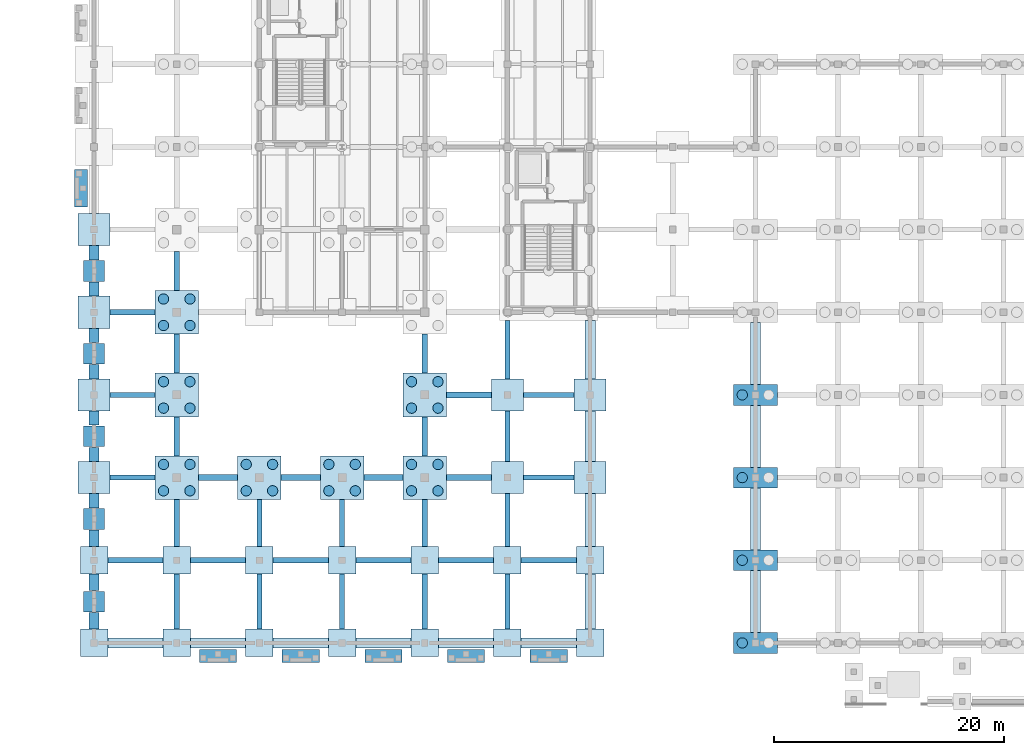
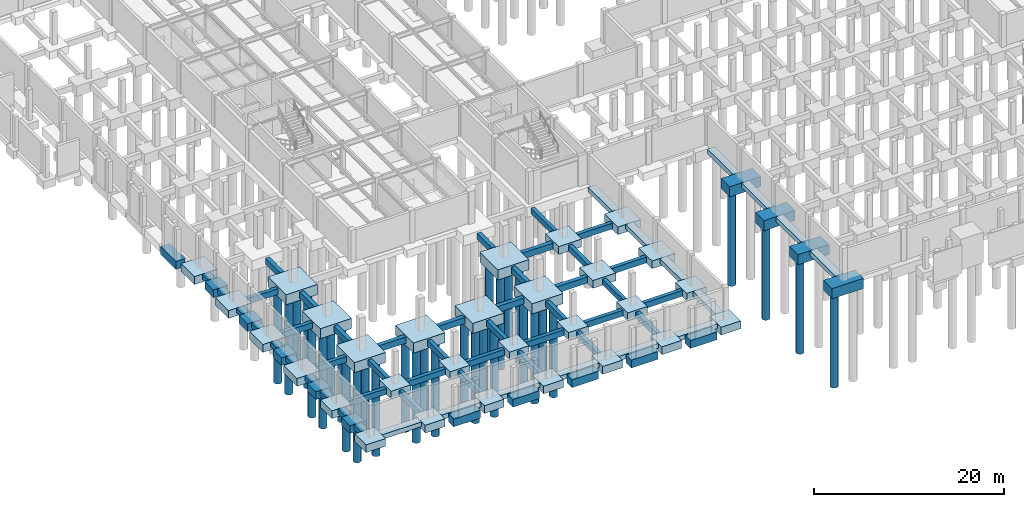
# One storey, part 1 of 46: 101 footings, 32 piles.
"""IFC4 building model written with IfcOpenShell, lengths in metres."""

from ifc_helpers import new_model, si_unit, direction, frame, origin, origin_2d, place, context, subcontext, project, spatial, rectangle, circle, extrude, material, material_profile, profile_set, type_object, element, save


model = new_model("IFC4")

# Units and contexts
model_context = context("Model", 3, precision=1e-05, world=origin(), true_north=direction((0.0, 1.0)))
body_context = subcontext(model_context, "Body", "Model", "MODEL_VIEW")
ifc_project = project(units=[si_unit("LENGTHUNIT", "METRE"), si_unit("AREAUNIT", "SQUARE_METRE"), si_unit("VOLUMEUNIT", "CUBIC_METRE"), si_unit("PLANEANGLEUNIT", "RADIAN"), si_unit("MASSUNIT", "GRAM", prefix="KILO")], contexts=[model_context])

# Site, building, storey
site_placement = place(None, origin())
site = spatial("IfcSite", under=ifc_project, at=site_placement, CompositionType="ELEMENT")
building_placement = place(site_placement, origin())
building = spatial("IfcBuilding", under=site, at=building_placement, Name="Sillqori Civic Hall", CompositionType="ELEMENT")
storey_placement = place(building_placement, frame((0.0, 0.0, -4.199951171875)))
storey = spatial("IfcBuildingStorey", under=building, at=storey_placement, Name="B01", CompositionType="ELEMENT", Elevation=-4.199951171875)

# Footings
ifc_material = material(Name="Concrete C35/45 (H35)", Category="concrete")
footing_type_1 = type_object("IfcFootingType", Name="FB-450X750", PredefinedType="FOOTING_BEAM", material=ifc_material)
footing_1_placement = place(storey_placement, frame((10.800048828125, 14.39990234375, -0.969970703125), z_axis=(0.0, 0.0, 1.0), x_axis=(1.0, 0.0, 0.0)))
element("IfcFooting", 1, at=footing_1_placement, inside=storey, type_object=footing_type_1, Name="Seismic tie beam X 1-2", PredefinedType="FOOTING_BEAM", context=body_context, shape_type="SweptSolid", body=[
    extrude(rectangle(XDim=4.800048828125, YDim=0.449951171875, at=origin_2d()), origin(), (0.0, 0.0, 1.0), 0.75),
])
for number, where, z_axis, x_axis, name in (
    (2, (10.550048828125, 21.60009765625, -0.969970703125), (0.0, 0.0, 1.0), (1.0, 0.0, 0.0), "Seismic tie beam X 1-3"),
    (3, (10.550048828125, 28.800048828125, -0.969970703125), (0.0, 0.0, 1.0), (1.0, 0.0, 0.0), "Seismic tie beam X 1-4"),
    (4, (10.550048828125, 36.0, -0.969970703125), (0.0, 0.0, 1.0), (1.0, 0.0, 0.0), "Seismic tie beam X 1-5"),
):
    element("IfcFooting", number, at=place(storey_placement, frame(where, z_axis=z_axis, x_axis=x_axis)), inside=storey, type_object=footing_type_1, Name=name, PredefinedType="FOOTING_BEAM", context=body_context, shape_type="SweptSolid", body=[
        extrude(rectangle(XDim=3.89990234375, YDim=0.449951171875, at=origin_2d()), origin(), (0.0, 0.0, 1.0), 0.75),
    ])
footing_2_placement = place(storey_placement, frame((14.39990234375, 10.800048828125, -0.969970703125), z_axis=(0.0, 0.0, 1.0), x_axis=(1.0, 0.0, 0.0)))
element("IfcFooting", 5, at=footing_2_placement, inside=storey, type_object=footing_type_1, Name="Seismic tie beam Y 2-1", PredefinedType="FOOTING_BEAM", context=body_context, shape_type="SweptSolid", body=[
    extrude(rectangle(XDim=0.449951171875, YDim=4.800048828125, at=origin_2d()), origin(), (0.0, 0.0, 1.0), 0.75),
])
footing_3_placement = place(storey_placement, frame((18.0, 14.39990234375, -0.969970703125), z_axis=(0.0, 0.0, 1.0), x_axis=(1.0, 0.0, 0.0)))
element("IfcFooting", 6, at=footing_3_placement, inside=storey, type_object=footing_type_1, Name="Seismic tie beam X 2-2", PredefinedType="FOOTING_BEAM", context=body_context, shape_type="SweptSolid", body=[
    extrude(rectangle(XDim=4.800048828125, YDim=0.449951171875, at=origin_2d()), origin(), (0.0, 0.0, 1.0), 0.75),
])
footing_4_placement = place(storey_placement, frame((14.39990234375, 17.64990234375, -0.969970703125), z_axis=(0.0, 0.0, 1.0), x_axis=(1.0, 0.0, 0.0)))
element("IfcFooting", 7, at=footing_4_placement, inside=storey, type_object=footing_type_1, Name="Seismic tie beam Y 2-2", PredefinedType="FOOTING_BEAM", context=body_context, shape_type="SweptSolid", body=[
    extrude(rectangle(XDim=0.449951171875, YDim=4.10009765625, at=origin_2d()), origin(), (0.0, 0.0, 1.0), 0.75),
])
footing_5_placement = place(storey_placement, frame((21.60009765625, 10.800048828125, -0.969970703125), z_axis=(0.0, 0.0, 1.0), x_axis=(1.0, 0.0, 0.0)))
element("IfcFooting", 8, at=footing_5_placement, inside=storey, type_object=footing_type_1, Name="Seismic tie beam Y 3-1", PredefinedType="FOOTING_BEAM", context=body_context, shape_type="SweptSolid", body=[
    extrude(rectangle(XDim=0.449951171875, YDim=4.800048828125, at=origin_2d()), origin(), (0.0, 0.0, 1.0), 0.75),
])
footing_6_placement = place(storey_placement, frame((25.199951171875, 14.39990234375, -0.969970703125), z_axis=(0.0, 0.0, 1.0), x_axis=(1.0, 0.0, 0.0)))
element("IfcFooting", 9, at=footing_6_placement, inside=storey, type_object=footing_type_1, Name="Seismic tie beam X 3-2", PredefinedType="FOOTING_BEAM", context=body_context, shape_type="SweptSolid", body=[
    extrude(rectangle(XDim=4.800048828125, YDim=0.449951171875, at=origin_2d()), origin(), (0.0, 0.0, 1.0), 0.75),
])
footing_7_placement = place(storey_placement, frame((21.60009765625, 17.64990234375, -0.969970703125), z_axis=(0.0, 0.0, 1.0), x_axis=(1.0, 0.0, 0.0)))
element("IfcFooting", 10, at=footing_7_placement, inside=storey, type_object=footing_type_1, Name="Seismic tie beam Y 3-2", PredefinedType="FOOTING_BEAM", context=body_context, shape_type="SweptSolid", body=[
    extrude(rectangle(XDim=0.449951171875, YDim=4.10009765625, at=origin_2d()), origin(), (0.0, 0.0, 1.0), 0.75),
])
footing_8_placement = place(storey_placement, frame((28.800048828125, 10.800048828125, -0.969970703125), z_axis=(0.0, 0.0, 1.0), x_axis=(1.0, 0.0, 0.0)))
element("IfcFooting", 11, at=footing_8_placement, inside=storey, type_object=footing_type_1, Name="Seismic tie beam Y 4-1", PredefinedType="FOOTING_BEAM", context=body_context, shape_type="SweptSolid", body=[
    extrude(rectangle(XDim=0.449951171875, YDim=4.800048828125, at=origin_2d()), origin(), (0.0, 0.0, 1.0), 0.75),
])
footing_9_placement = place(storey_placement, frame((32.39990234375, 14.39990234375, -0.969970703125), z_axis=(0.0, 0.0, 1.0), x_axis=(1.0, 0.0, 0.0)))
element("IfcFooting", 12, at=footing_9_placement, inside=storey, type_object=footing_type_1, Name="Seismic tie beam X 4-2", PredefinedType="FOOTING_BEAM", context=body_context, shape_type="SweptSolid", body=[
    extrude(rectangle(XDim=4.800048828125, YDim=0.449951171875, at=origin_2d()), origin(), (0.0, 0.0, 1.0), 0.75),
])
footing_10_placement = place(storey_placement, frame((28.800048828125, 17.64990234375, -0.969970703125), z_axis=(0.0, 0.0, 1.0), x_axis=(1.0, 0.0, 0.0)))
element("IfcFooting", 13, at=footing_10_placement, inside=storey, type_object=footing_type_1, Name="Seismic tie beam Y 4-2", PredefinedType="FOOTING_BEAM", context=body_context, shape_type="SweptSolid", body=[
    extrude(rectangle(XDim=0.449951171875, YDim=4.10009765625, at=origin_2d()), origin(), (0.0, 0.0, 1.0), 0.75),
])
footing_11_placement = place(storey_placement, frame((36.0, 10.800048828125, -0.969970703125), z_axis=(0.0, 0.0, 1.0), x_axis=(1.0, 0.0, 0.0)))
element("IfcFooting", 14, at=footing_11_placement, inside=storey, type_object=footing_type_1, Name="Seismic tie beam Y 5-1", PredefinedType="FOOTING_BEAM", context=body_context, shape_type="SweptSolid", body=[
    extrude(rectangle(XDim=0.449951171875, YDim=4.800048828125, at=origin_2d()), origin(), (0.0, 0.0, 1.0), 0.75),
])
footing_12_placement = place(storey_placement, frame((39.60009765625, 14.39990234375, -0.969970703125), z_axis=(0.0, 0.0, 1.0), x_axis=(1.0, 0.0, 0.0)))
element("IfcFooting", 15, at=footing_12_placement, inside=storey, type_object=footing_type_1, Name="Seismic tie beam X 5-2", PredefinedType="FOOTING_BEAM", context=body_context, shape_type="SweptSolid", body=[
    extrude(rectangle(XDim=4.800048828125, YDim=0.449951171875, at=origin_2d()), origin(), (0.0, 0.0, 1.0), 0.75),
])
footing_13_placement = place(storey_placement, frame((36.0, 17.64990234375, -0.969970703125), z_axis=(0.0, 0.0, 1.0), x_axis=(1.0, 0.0, 0.0)))
element("IfcFooting", 16, at=footing_13_placement, inside=storey, type_object=footing_type_1, Name="Seismic tie beam Y 5-2", PredefinedType="FOOTING_BEAM", context=body_context, shape_type="SweptSolid", body=[
    extrude(rectangle(XDim=0.449951171875, YDim=4.10009765625, at=origin_2d()), origin(), (0.0, 0.0, 1.0), 0.75),
])
footing_14_placement = place(storey_placement, frame((43.199951171875, 10.800048828125, -0.969970703125), z_axis=(0.0, 0.0, 1.0), x_axis=(1.0, 0.0, 0.0)))
element("IfcFooting", 17, at=footing_14_placement, inside=storey, type_object=footing_type_1, Name="Seismic tie beam Y 6-1", PredefinedType="FOOTING_BEAM", context=body_context, shape_type="SweptSolid", body=[
    extrude(rectangle(XDim=0.449951171875, YDim=4.800048828125, at=origin_2d()), origin(), (0.0, 0.0, 1.0), 0.75),
])
footing_15_placement = place(storey_placement, frame((46.800048828125, 14.39990234375, -0.969970703125), z_axis=(0.0, 0.0, 1.0), x_axis=(1.0, 0.0, 0.0)))
element("IfcFooting", 18, at=footing_15_placement, inside=storey, type_object=footing_type_1, Name="Seismic tie beam X 6-2", PredefinedType="FOOTING_BEAM", context=body_context, shape_type="SweptSolid", body=[
    extrude(rectangle(XDim=4.800048828125, YDim=0.449951171875, at=origin_2d()), origin(), (0.0, 0.0, 1.0), 0.75),
])
footing_16_placement = place(storey_placement, frame((43.199951171875, 17.89990234375, -0.969970703125), z_axis=(0.0, 0.0, 1.0), x_axis=(1.0, 0.0, 0.0)))
element("IfcFooting", 19, at=footing_16_placement, inside=storey, type_object=footing_type_1, Name="Seismic tie beam Y 6-2", PredefinedType="FOOTING_BEAM", context=body_context, shape_type="SweptSolid", body=[
    extrude(rectangle(XDim=0.449951171875, YDim=4.60009765625, at=origin_2d()), origin(), (0.0, 0.0, 1.0), 0.75),
])
footing_17_placement = place(storey_placement, frame((46.800048828125, 21.60009765625, -0.969970703125), z_axis=(0.0, 0.0, 1.0), x_axis=(1.0, 0.0, 0.0)))
element("IfcFooting", 20, at=footing_17_placement, inside=storey, type_object=footing_type_1, Name="Seismic tie beam X 6-3", PredefinedType="FOOTING_BEAM", context=body_context, shape_type="SweptSolid", body=[
    extrude(rectangle(XDim=4.39990234375, YDim=0.449951171875, at=origin_2d()), origin(), (0.0, 0.0, 1.0), 0.75),
])
footing_18_placement = place(storey_placement, frame((43.199951171875, 25.199951171875, -0.969970703125), z_axis=(0.0, 0.0, 1.0), x_axis=(1.0, 0.0, 0.0)))
element("IfcFooting", 21, at=footing_18_placement, inside=storey, type_object=footing_type_1, Name="Seismic tie beam Y 6-3", PredefinedType="FOOTING_BEAM", context=body_context, shape_type="SweptSolid", body=[
    extrude(rectangle(XDim=0.449951171875, YDim=4.39990234375, at=origin_2d()), origin(), (0.0, 0.0, 1.0), 0.75),
])
footing_19_placement = place(storey_placement, frame((46.800048828125, 28.800048828125, -0.969970703125), z_axis=(0.0, 0.0, 1.0), x_axis=(1.0, 0.0, 0.0)))
element("IfcFooting", 22, at=footing_19_placement, inside=storey, type_object=footing_type_1, Name="Seismic tie beam X 6-4", PredefinedType="FOOTING_BEAM", context=body_context, shape_type="SweptSolid", body=[
    extrude(rectangle(XDim=4.39990234375, YDim=0.449951171875, at=origin_2d()), origin(), (0.0, 0.0, 1.0), 0.75),
])
footing_20_placement = place(storey_placement, frame((43.199951171875, 32.75, -0.969970703125), z_axis=(0.0, 0.0, 1.0), x_axis=(1.0, 0.0, 0.0)))
element("IfcFooting", 23, at=footing_20_placement, inside=storey, type_object=footing_type_1, Name="Seismic tie beam Y 6-4", PredefinedType="FOOTING_BEAM", context=body_context, shape_type="SweptSolid", body=[
    extrude(rectangle(XDim=0.449951171875, YDim=5.10009765625, at=origin_2d()), origin(), (0.0, 0.0, 1.0), 0.75),
])
footing_type_2 = type_object("IfcFootingType", Name="FB-500X800", PredefinedType="FOOTING_BEAM", material=ifc_material)
footing_21_placement = place(storey_placement, frame((18.0, 21.60009765625, -1.02001953125), z_axis=(0.0, 0.0, 1.0), x_axis=(1.0, 0.0, 0.0)))
element("IfcFooting", 24, at=footing_21_placement, inside=storey, type_object=footing_type_2, Name="Seismic tie beam X 2-3", PredefinedType="FOOTING_BEAM", context=body_context, shape_type="SweptSolid", body=[
    extrude(rectangle(XDim=3.39990234375, YDim=0.5, at=origin_2d()), origin(), (0.0, 0.0, 1.0), 0.800048828125),
])
for number, where, z_axis, x_axis, name in (
    (25, (14.39990234375, 25.199951171875, -1.02001953125), (0.0, 0.0, 1.0), (1.0, 0.0, 0.0), "Seismic tie beam Y 2-3"),
    (26, (14.39990234375, 32.39990234375, -1.02001953125), (0.0, 0.0, 1.0), (1.0, 0.0, 0.0), "Seismic tie beam Y 2-4"),
    (27, (14.39990234375, 39.60009765625, -1.02001953125), (0.0, 0.0, 1.0), (1.0, 0.0, 0.0), "Seismic tie beam Y 2-5"),
):
    element("IfcFooting", number, at=place(storey_placement, frame(where, z_axis=z_axis, x_axis=x_axis)), inside=storey, type_object=footing_type_2, Name=name, PredefinedType="FOOTING_BEAM", context=body_context, shape_type="SweptSolid", body=[
        extrude(rectangle(XDim=0.5, YDim=3.39990234375, at=origin_2d()), origin(), (0.0, 0.0, 1.0), 0.800048828125),
    ])
for number, where, z_axis, x_axis, name in (
    (28, (25.199951171875, 21.60009765625, -1.02001953125), (0.0, 0.0, 1.0), (1.0, 0.0, 0.0), "Seismic tie beam X 3-3"),
    (29, (32.39990234375, 21.60009765625, -1.02001953125), (0.0, 0.0, 1.0), (1.0, 0.0, 0.0), "Seismic tie beam X 4-3"),
):
    element("IfcFooting", number, at=place(storey_placement, frame(where, z_axis=z_axis, x_axis=x_axis)), inside=storey, type_object=footing_type_2, Name=name, PredefinedType="FOOTING_BEAM", context=body_context, shape_type="SweptSolid", body=[
        extrude(rectangle(XDim=3.39990234375, YDim=0.5, at=origin_2d()), origin(), (0.0, 0.0, 1.0), 0.800048828125),
    ])
footing_22_placement = place(storey_placement, frame((39.85009765625, 21.60009765625, -1.02001953125), z_axis=(0.0, 0.0, 1.0), x_axis=(1.0, 0.0, 0.0)))
element("IfcFooting", 30, at=footing_22_placement, inside=storey, type_object=footing_type_2, Name="Seismic tie beam X 5-3", PredefinedType="FOOTING_BEAM", context=body_context, shape_type="SweptSolid", body=[
    extrude(rectangle(XDim=3.89990234375, YDim=0.5, at=origin_2d()), origin(), (0.0, 0.0, 1.0), 0.800048828125),
])
footing_23_placement = place(storey_placement, frame((36.0, 25.199951171875, -1.02001953125), z_axis=(0.0, 0.0, 1.0), x_axis=(1.0, 0.0, 0.0)))
element("IfcFooting", 31, at=footing_23_placement, inside=storey, type_object=footing_type_2, Name="Seismic tie beam Y 5-3", PredefinedType="FOOTING_BEAM", context=body_context, shape_type="SweptSolid", body=[
    extrude(rectangle(XDim=0.5, YDim=3.39990234375, at=origin_2d()), origin(), (0.0, 0.0, 1.0), 0.800048828125),
])
footing_24_placement = place(storey_placement, frame((39.85009765625, 28.800048828125, -1.02001953125), z_axis=(0.0, 0.0, 1.0), x_axis=(1.0, 0.0, 0.0)))
element("IfcFooting", 32, at=footing_24_placement, inside=storey, type_object=footing_type_2, Name="Seismic tie beam X 5-4", PredefinedType="FOOTING_BEAM", context=body_context, shape_type="SweptSolid", body=[
    extrude(rectangle(XDim=3.89990234375, YDim=0.5, at=origin_2d()), origin(), (0.0, 0.0, 1.0), 0.800048828125),
])
footing_25_placement = place(storey_placement, frame((36.0, 32.39990234375, -1.02001953125), z_axis=(0.0, 0.0, 1.0), x_axis=(1.0, 0.0, 0.0)))
element("IfcFooting", 33, at=footing_25_placement, inside=storey, type_object=footing_type_2, Name="Seismic tie beam Y 5-4", PredefinedType="FOOTING_BEAM", context=body_context, shape_type="SweptSolid", body=[
    extrude(rectangle(XDim=0.5, YDim=3.39990234375, at=origin_2d()), origin(), (0.0, 0.0, 1.0), 0.800048828125),
])
footing_type_3 = type_object("IfcFootingType", Name="PC-2P", PredefinedType="PILE_CAP", material=ifc_material)
for number, where, z_axis, x_axis, name in (
    (34, (64.800048828125, 7.199951171875, -1.30029296875), (0.0, 0.0, 1.0), (1.0, 0.0, 0.0), "Pile cap 9-1"),
    (35, (64.800048828125, 14.39990234375, -1.30029296875), (0.0, 0.0, 1.0), (1.0, 0.0, 0.0), "Pile cap 9-2"),
    (36, (64.800048828125, 21.60009765625, -1.30029296875), (0.0, 0.0, 1.0), (1.0, 0.0, 0.0), "Pile cap 9-3"),
    (37, (64.800048828125, 28.800048828125, -1.30029296875), (0.0, 0.0, 1.0), (1.0, 0.0, 0.0), "Pile cap 9-4"),
):
    element("IfcFooting", number, at=place(storey_placement, frame(where, z_axis=z_axis, x_axis=x_axis)), inside=storey, type_object=footing_type_3, Name=name, PredefinedType="PILE_CAP", context=body_context, shape_type="SweptSolid", body=[
        extrude(rectangle(XDim=3.800048828125, YDim=1.800048828125, at=origin_2d()), origin(), (0.0, 0.0, 1.0), 1.300048828125),
    ])
footing_type_4 = type_object("IfcFootingType", Name="PC-4P", PredefinedType="PILE_CAP", material=ifc_material)
for number, where, z_axis, x_axis, name in (
    (38, (14.39990234375, 21.60009765625, -1.30029296875), (0.0, 0.0, 1.0), (1.0, 0.0, 0.0), "Pile cap 2-3"),
    (39, (14.39990234375, 28.800048828125, -1.30029296875), (0.0, 0.0, 1.0), (1.0, 0.0, 0.0), "Pile cap 2-4"),
    (40, (14.39990234375, 36.0, -1.30029296875), (0.0, 0.0, 1.0), (1.0, 0.0, 0.0), "Pile cap 2-5"),
    (41, (21.60009765625, 21.60009765625, -1.30029296875), (0.0, 0.0, 1.0), (1.0, 0.0, 0.0), "Pile cap 3-3"),
    (42, (28.800048828125, 21.60009765625, -1.30029296875), (0.0, 0.0, 1.0), (1.0, 0.0, 0.0), "Pile cap 4-3"),
    (43, (36.0, 21.60009765625, -1.30029296875), (0.0, 0.0, 1.0), (1.0, 0.0, 0.0), "Pile cap 5-3"),
    (44, (36.0, 28.800048828125, -1.30029296875), (0.0, 0.0, 1.0), (1.0, 0.0, 0.0), "Pile cap 5-4"),
):
    element("IfcFooting", number, at=place(storey_placement, frame(where, z_axis=z_axis, x_axis=x_axis)), inside=storey, type_object=footing_type_4, Name=name, PredefinedType="PILE_CAP", context=body_context, shape_type="SweptSolid", body=[
        extrude(rectangle(XDim=3.800048828125, YDim=3.800048828125, at=origin_2d()), origin(), (0.0, 0.0, 1.0), 1.300048828125),
    ])
footing_type_5 = type_object("IfcFootingType", Name="PF-1800", PredefinedType="PAD_FOOTING", material=ifc_material)
for number, where, z_axis, x_axis, name in (
    (45, (7.199951171875, 10.800048828125, -1.0), (0.0, 0.0, 1.0), (1.0, 0.0, 0.0), "Pilaster pad footing 01"),
    (46, (7.199951171875, 18.0, -1.0), (0.0, 0.0, 1.0), (1.0, 0.0, 0.0), "Pilaster pad footing 02"),
    (47, (7.199951171875, 25.199951171875, -1.0), (0.0, 0.0, 1.0), (1.0, 0.0, 0.0), "Pilaster pad footing 03"),
    (48, (7.199951171875, 32.39990234375, -1.0), (0.0, 0.0, 1.0), (1.0, 0.0, 0.0), "Pilaster pad footing 04"),
    (49, (7.199951171875, 39.60009765625, -1.0), (0.0, 0.0, 1.0), (1.0, 0.0, 0.0), "Pilaster pad footing 05"),
):
    element("IfcFooting", number, at=place(storey_placement, frame(where, z_axis=z_axis, x_axis=x_axis)), inside=storey, type_object=footing_type_5, Name=name, PredefinedType="PAD_FOOTING", context=body_context, shape_type="SweptSolid", body=[
        extrude(rectangle(XDim=1.800048828125, YDim=1.800048828125, at=origin_2d()), origin(), (0.0, 0.0, 1.0), 1.0),
    ])
footing_type_6 = type_object("IfcFootingType", Name="PF-2400", PredefinedType="PAD_FOOTING", material=ifc_material)
for number, where, z_axis, x_axis, name in (
    (50, (7.199951171875, 7.199951171875, -1.0), (0.0, 0.0, 1.0), (1.0, 0.0, 0.0), "Spread footing 1-1"),
    (51, (7.199951171875, 14.39990234375, -1.0), (0.0, 0.0, 1.0), (1.0, 0.0, 0.0), "Spread footing 1-2"),
    (52, (14.39990234375, 7.199951171875, -1.0), (0.0, 0.0, 1.0), (1.0, 0.0, 0.0), "Spread footing 2-1"),
    (53, (14.39990234375, 14.39990234375, -1.0), (0.0, 0.0, 1.0), (1.0, 0.0, 0.0), "Spread footing 2-2"),
    (54, (21.60009765625, 7.199951171875, -1.0), (0.0, 0.0, 1.0), (1.0, 0.0, 0.0), "Spread footing 3-1"),
    (55, (21.60009765625, 14.39990234375, -1.0), (0.0, 0.0, 1.0), (1.0, 0.0, 0.0), "Spread footing 3-2"),
    (56, (28.800048828125, 7.199951171875, -1.0), (0.0, 0.0, 1.0), (1.0, 0.0, 0.0), "Spread footing 4-1"),
    (57, (28.800048828125, 14.39990234375, -1.0), (0.0, 0.0, 1.0), (1.0, 0.0, 0.0), "Spread footing 4-2"),
    (58, (36.0, 7.199951171875, -1.0), (0.0, 0.0, 1.0), (1.0, 0.0, 0.0), "Spread footing 5-1"),
    (59, (36.0, 14.39990234375, -1.0), (0.0, 0.0, 1.0), (1.0, 0.0, 0.0), "Spread footing 5-2"),
    (60, (43.199951171875, 7.199951171875, -1.0), (0.0, 0.0, 1.0), (1.0, 0.0, 0.0), "Spread footing 6-1"),
    (61, (43.199951171875, 14.39990234375, -1.0), (0.0, 0.0, 1.0), (1.0, 0.0, 0.0), "Spread footing 6-2"),
    (62, (50.39990234375, 7.199951171875, -1.0), (0.0, 0.0, 1.0), (1.0, 0.0, 0.0), "Spread footing 7-1"),
    (63, (50.39990234375, 14.39990234375, -1.0), (0.0, 0.0, 1.0), (1.0, 0.0, 0.0), "Spread footing 7-2"),
):
    element("IfcFooting", number, at=place(storey_placement, frame(where, z_axis=z_axis, x_axis=x_axis)), inside=storey, type_object=footing_type_6, Name=name, PredefinedType="PAD_FOOTING", context=body_context, shape_type="SweptSolid", body=[
        extrude(rectangle(XDim=2.39990234375, YDim=2.39990234375, at=origin_2d()), origin(), (0.0, 0.0, 1.0), 1.0),
    ])
footing_type_7 = type_object("IfcFootingType", Name="PF-2800", PredefinedType="PAD_FOOTING", material=ifc_material)
for number, where, z_axis, x_axis, name in (
    (64, (7.199951171875, 21.60009765625, -1.0), (0.0, 0.0, 1.0), (1.0, 0.0, 0.0), "Spread footing 1-3"),
    (65, (7.199951171875, 28.800048828125, -1.0), (0.0, 0.0, 1.0), (1.0, 0.0, 0.0), "Spread footing 1-4"),
    (66, (7.199951171875, 36.0, -1.0), (0.0, 0.0, 1.0), (1.0, 0.0, 0.0), "Spread footing 1-5"),
    (67, (7.199951171875, 43.199951171875, -1.0), (0.0, 0.0, 1.0), (1.0, 0.0, 0.0), "Spread footing 1-6"),
    (68, (43.199951171875, 21.60009765625, -1.0), (0.0, 0.0, 1.0), (1.0, 0.0, 0.0), "Spread footing 6-3"),
    (69, (43.199951171875, 28.800048828125, -1.0), (0.0, 0.0, 1.0), (1.0, 0.0, 0.0), "Spread footing 6-4"),
    (70, (50.39990234375, 21.60009765625, -1.0), (0.0, 0.0, 1.0), (1.0, 0.0, 0.0), "Spread footing 7-3"),
    (71, (50.39990234375, 28.800048828125, -1.0), (0.0, 0.0, 1.0), (1.0, 0.0, 0.0), "Spread footing 7-4"),
):
    element("IfcFooting", number, at=place(storey_placement, frame(where, z_axis=z_axis, x_axis=x_axis)), inside=storey, type_object=footing_type_7, Name=name, PredefinedType="PAD_FOOTING", context=body_context, shape_type="SweptSolid", body=[
        extrude(rectangle(XDim=2.800048828125, YDim=2.800048828125, at=origin_2d()), origin(), (0.0, 0.0, 1.0), 1.0),
    ])

# Piles
ifc_material_profile = material_profile(ifc_material, circle(Radius=0.449951171875, at=origin_2d()), Name="BORED PILE 900")
ifc_profile_set = profile_set([ifc_material_profile], Name="Concrete C35/45 (H35)")
pile_type = type_object("IfcPileType", Name="PILE-BORED-900", PredefinedType="BORED", material=ifc_profile_set)
for number, where, z_axis, x_axis, name in (
    (72, (13.25, 20.449951171875, -1.199951171875), (0.0, 0.0, -1.0), (1.0, 0.0, 0.0), "Bored pile FTG-PC-02-03-01"),
    (73, (13.25, 22.75, -1.199951171875), (0.0, 0.0, -1.0), (1.0, 0.0, 0.0), "Bored pile FTG-PC-02-03-02"),
    (74, (15.550048828125, 20.449951171875, -1.199951171875), (0.0, 0.0, -1.0), (1.0, 0.0, 0.0), "Bored pile FTG-PC-02-03-03"),
    (75, (15.550048828125, 22.75, -1.199951171875), (0.0, 0.0, -1.0), (1.0, 0.0, 0.0), "Bored pile FTG-PC-02-03-04"),
    (76, (13.25, 27.64990234375, -1.199951171875), (0.0, 0.0, -1.0), (1.0, 0.0, 0.0), "Bored pile FTG-PC-02-04-01"),
    (77, (13.25, 29.949951171875, -1.199951171875), (0.0, 0.0, -1.0), (1.0, 0.0, 0.0), "Bored pile FTG-PC-02-04-02"),
    (78, (15.550048828125, 27.64990234375, -1.199951171875), (0.0, 0.0, -1.0), (1.0, 0.0, 0.0), "Bored pile FTG-PC-02-04-03"),
    (79, (15.550048828125, 29.949951171875, -1.199951171875), (0.0, 0.0, -1.0), (1.0, 0.0, 0.0), "Bored pile FTG-PC-02-04-04"),
    (80, (13.25, 34.85009765625, -1.199951171875), (0.0, 0.0, -1.0), (1.0, 0.0, 0.0), "Bored pile FTG-PC-02-05-01"),
    (81, (13.25, 37.14990234375, -1.199951171875), (0.0, 0.0, -1.0), (1.0, 0.0, 0.0), "Bored pile FTG-PC-02-05-02"),
    (82, (15.550048828125, 34.85009765625, -1.199951171875), (0.0, 0.0, -1.0), (1.0, 0.0, 0.0), "Bored pile FTG-PC-02-05-03"),
    (83, (15.550048828125, 37.14990234375, -1.199951171875), (0.0, 0.0, -1.0), (1.0, 0.0, 0.0), "Bored pile FTG-PC-02-05-04"),
    (84, (20.449951171875, 20.449951171875, -1.199951171875), (0.0, 0.0, -1.0), (1.0, 0.0, 0.0), "Bored pile FTG-PC-03-03-01"),
    (85, (20.449951171875, 22.75, -1.199951171875), (0.0, 0.0, -1.0), (1.0, 0.0, 0.0), "Bored pile FTG-PC-03-03-02"),
    (86, (22.75, 20.449951171875, -1.199951171875), (0.0, 0.0, -1.0), (1.0, 0.0, 0.0), "Bored pile FTG-PC-03-03-03"),
    (87, (22.75, 22.75, -1.199951171875), (0.0, 0.0, -1.0), (1.0, 0.0, 0.0), "Bored pile FTG-PC-03-03-04"),
    (88, (27.64990234375, 20.449951171875, -1.199951171875), (0.0, 0.0, -1.0), (1.0, 0.0, 0.0), "Bored pile FTG-PC-04-03-01"),
    (89, (27.64990234375, 22.75, -1.199951171875), (0.0, 0.0, -1.0), (1.0, 0.0, 0.0), "Bored pile FTG-PC-04-03-02"),
    (90, (29.949951171875, 20.449951171875, -1.199951171875), (0.0, 0.0, -1.0), (1.0, 0.0, 0.0), "Bored pile FTG-PC-04-03-03"),
    (91, (29.949951171875, 22.75, -1.199951171875), (0.0, 0.0, -1.0), (1.0, 0.0, 0.0), "Bored pile FTG-PC-04-03-04"),
    (92, (34.85009765625, 20.449951171875, -1.199951171875), (0.0, 0.0, -1.0), (1.0, 0.0, 0.0), "Bored pile FTG-PC-05-03-01"),
    (93, (34.85009765625, 22.75, -1.199951171875), (0.0, 0.0, -1.0), (1.0, 0.0, 0.0), "Bored pile FTG-PC-05-03-02"),
    (94, (37.14990234375, 20.449951171875, -1.199951171875), (0.0, 0.0, -1.0), (1.0, 0.0, 0.0), "Bored pile FTG-PC-05-03-03"),
    (95, (37.14990234375, 22.75, -1.199951171875), (0.0, 0.0, -1.0), (1.0, 0.0, 0.0), "Bored pile FTG-PC-05-03-04"),
    (96, (34.85009765625, 27.64990234375, -1.199951171875), (0.0, 0.0, -1.0), (1.0, 0.0, 0.0), "Bored pile FTG-PC-05-04-01"),
    (97, (34.85009765625, 29.949951171875, -1.199951171875), (0.0, 0.0, -1.0), (1.0, 0.0, 0.0), "Bored pile FTG-PC-05-04-02"),
    (98, (37.14990234375, 27.64990234375, -1.199951171875), (0.0, 0.0, -1.0), (1.0, 0.0, 0.0), "Bored pile FTG-PC-05-04-03"),
    (99, (37.14990234375, 29.949951171875, -1.199951171875), (0.0, 0.0, -1.0), (1.0, 0.0, 0.0), "Bored pile FTG-PC-05-04-04"),
    (100, (63.64990234375, 7.199951171875, -1.199951171875), (0.0, 0.0, -1.0), (1.0, 0.0, 0.0), "Bored pile FTG-PC-09-01-01"),
    (101, (63.64990234375, 14.39990234375, -1.199951171875), (0.0, 0.0, -1.0), (1.0, 0.0, 0.0), "Bored pile FTG-PC-09-02-01"),
    (102, (63.64990234375, 21.60009765625, -1.199951171875), (0.0, 0.0, -1.0), (1.0, 0.0, 0.0), "Bored pile FTG-PC-09-03-01"),
    (103, (63.64990234375, 28.800048828125, -1.199951171875), (0.0, 0.0, -1.0), (1.0, 0.0, 0.0), "Bored pile FTG-PC-09-04-01"),
):
    element("IfcPile", number, at=place(storey_placement, frame(where, z_axis=z_axis, x_axis=x_axis)), inside=storey, type_object=pile_type, Name=name, PredefinedType="BORED", context=body_context, shape_type="SweptSolid", body=[
        extrude(circle(Radius=0.449951171875, at=origin_2d()), origin(), (0.0, 0.0, 1.0), 12.10009765625),
    ])

# Footings
footing_type_8 = type_object("IfcFootingType", Name="SF-1100X650", PredefinedType="STRIP_FOOTING", material=ifc_material)
footing_26_placement = place(storey_placement, frame((6.050048828125, 46.800048828125, -1.0), z_axis=(0.0, 0.0, 1.0), x_axis=(1.0, 0.0, 0.0)))
element("IfcFooting", 104, at=footing_26_placement, inside=storey, type_object=footing_type_8, Name="Council West Avenue Exit stoop mat footing", PredefinedType="STRIP_FOOTING", context=body_context, shape_type="SweptSolid", body=[
    extrude(rectangle(XDim=1.1201171875, YDim=3.239990234375, at=origin_2d()), origin(), (0.0, 0.0, 1.0), 1.0),
])
for number, where, z_axis, x_axis, name in (
    (105, (18.0, 6.050048828125, -1.0), (0.0, 0.0, 1.0), (1.0, 0.0, 0.0), "Council Chamber West Street Portal stoop mat footing"),
    (106, (25.199951171875, 6.050048828125, -1.0), (0.0, 0.0, 1.0), (1.0, 0.0, 0.0), "Council Chamber Ceremonial Entrance stoop mat footing"),
    (107, (32.39990234375, 6.050048828125, -1.0), (0.0, 0.0, 1.0), (1.0, 0.0, 0.0), "Council Chamber East Street Portal stoop mat footing"),
    (108, (39.60009765625, 6.050048828125, -1.0), (0.0, 0.0, 1.0), (1.0, 0.0, 0.0), "Council Foyer South Exit stoop mat footing"),
    (109, (46.800048828125, 6.050048828125, -1.0), (0.0, 0.0, 1.0), (1.0, 0.0, 0.0), "Council Foyer Promenade Portal stoop mat footing"),
):
    element("IfcFooting", number, at=place(storey_placement, frame(where, z_axis=z_axis, x_axis=x_axis)), inside=storey, type_object=footing_type_8, Name=name, PredefinedType="STRIP_FOOTING", context=body_context, shape_type="SweptSolid", body=[
        extrude(rectangle(XDim=3.239990234375, YDim=1.1201171875, at=origin_2d()), origin(), (0.0, 0.0, 1.0), 1.0),
    ])
footing_type_9 = type_object("IfcFootingType", Name="SF-900X600", PredefinedType="STRIP_FOOTING", material=ifc_material)
footing_27_placement = place(storey_placement, frame((10.800048828125, 7.199951171875, -0.60009765625), z_axis=(0.0, 0.0, 1.0), x_axis=(1.0, 0.0, 0.0)))
element("IfcFooting", 110, at=footing_27_placement, inside=storey, type_object=footing_type_9, Name="Podium plinth strip footing S 1-1", PredefinedType="STRIP_FOOTING", context=body_context, shape_type="SweptSolid", body=[
    extrude(rectangle(XDim=4.800048828125, YDim=0.89990234375, at=origin_2d()), origin(), (0.0, 0.0, 1.0), 0.60009765625),
])
for number, where, z_axis, x_axis, name in (
    (111, (7.199951171875, 9.1201171875, -0.60009765625), (0.0, 0.0, 1.0), (1.0, 0.0, 0.0), "Podium plinth strip footing W 1-1.1"),
    (112, (7.199951171875, 12.47998046875, -0.60009765625), (0.0, 0.0, 1.0), (1.0, 0.0, 0.0), "Podium plinth strip footing W 1-1.2"),
    (113, (7.199951171875, 16.320068359375, -0.60009765625), (0.0, 0.0, 1.0), (1.0, 0.0, 0.0), "Podium plinth strip footing W 1-2.1"),
):
    element("IfcFooting", number, at=place(storey_placement, frame(where, z_axis=z_axis, x_axis=x_axis)), inside=storey, type_object=footing_type_9, Name=name, PredefinedType="STRIP_FOOTING", context=body_context, shape_type="SweptSolid", body=[
        extrude(rectangle(XDim=0.89990234375, YDim=1.43994140625, at=origin_2d()), origin(), (0.0, 0.0, 1.0), 0.60009765625),
    ])
for number, where, z_axis, x_axis, name in (
    (114, (7.199951171875, 19.580078125, -0.60009765625), (0.0, 0.0, 1.0), (1.0, 0.0, 0.0), "Podium plinth strip footing W 1-2.2"),
    (115, (7.199951171875, 23.6201171875, -0.60009765625), (0.0, 0.0, 1.0), (1.0, 0.0, 0.0), "Podium plinth strip footing W 1-3.1"),
    (116, (7.199951171875, 26.780029296875, -0.60009765625), (0.0, 0.0, 1.0), (1.0, 0.0, 0.0), "Podium plinth strip footing W 1-3.2"),
    (117, (7.199951171875, 30.820068359375, -0.60009765625), (0.0, 0.0, 1.0), (1.0, 0.0, 0.0), "Podium plinth strip footing W 1-4.1"),
    (118, (7.199951171875, 33.97998046875, -0.60009765625), (0.0, 0.0, 1.0), (1.0, 0.0, 0.0), "Podium plinth strip footing W 1-4.2"),
    (119, (7.199951171875, 38.02001953125, -0.60009765625), (0.0, 0.0, 1.0), (1.0, 0.0, 0.0), "Podium plinth strip footing W 1-5.1"),
    (120, (7.199951171875, 41.179931640625, -0.60009765625), (0.0, 0.0, 1.0), (1.0, 0.0, 0.0), "Podium plinth strip footing W 1-5.2"),
):
    element("IfcFooting", number, at=place(storey_placement, frame(where, z_axis=z_axis, x_axis=x_axis)), inside=storey, type_object=footing_type_9, Name=name, PredefinedType="STRIP_FOOTING", context=body_context, shape_type="SweptSolid", body=[
        extrude(rectangle(XDim=0.89990234375, YDim=1.239990234375, at=origin_2d()), origin(), (0.0, 0.0, 1.0), 0.60009765625),
    ])
for number, where, z_axis, x_axis, name in (
    (121, (18.0, 7.199951171875, -0.60009765625), (0.0, 0.0, 1.0), (1.0, 0.0, 0.0), "Podium plinth strip footing S 2-1"),
    (122, (25.199951171875, 7.199951171875, -0.60009765625), (0.0, 0.0, 1.0), (1.0, 0.0, 0.0), "Podium plinth strip footing S 3-1"),
    (123, (32.39990234375, 7.199951171875, -0.60009765625), (0.0, 0.0, 1.0), (1.0, 0.0, 0.0), "Podium plinth strip footing S 4-1"),
    (124, (39.60009765625, 7.199951171875, -0.60009765625), (0.0, 0.0, 1.0), (1.0, 0.0, 0.0), "Podium plinth strip footing S 5-1"),
    (125, (46.800048828125, 7.199951171875, -0.60009765625), (0.0, 0.0, 1.0), (1.0, 0.0, 0.0), "Podium plinth strip footing S 6-1"),
):
    element("IfcFooting", number, at=place(storey_placement, frame(where, z_axis=z_axis, x_axis=x_axis)), inside=storey, type_object=footing_type_9, Name=name, PredefinedType="STRIP_FOOTING", context=body_context, shape_type="SweptSolid", body=[
        extrude(rectangle(XDim=4.800048828125, YDim=0.89990234375, at=origin_2d()), origin(), (0.0, 0.0, 1.0), 0.60009765625),
    ])
footing_28_placement = place(storey_placement, frame((50.39990234375, 10.800048828125, -0.60009765625), z_axis=(0.0, 0.0, 1.0), x_axis=(1.0, 0.0, 0.0)))
element("IfcFooting", 126, at=footing_28_placement, inside=storey, type_object=footing_type_9, Name="Podium plinth strip footing E 6-1", PredefinedType="STRIP_FOOTING", context=body_context, shape_type="SweptSolid", body=[
    extrude(rectangle(XDim=0.89990234375, YDim=4.800048828125, at=origin_2d()), origin(), (0.0, 0.0, 1.0), 0.60009765625),
])
footing_29_placement = place(storey_placement, frame((50.39990234375, 17.89990234375, -0.60009765625), z_axis=(0.0, 0.0, 1.0), x_axis=(1.0, 0.0, 0.0)))
element("IfcFooting", 127, at=footing_29_placement, inside=storey, type_object=footing_type_9, Name="Podium plinth strip footing E 6-2", PredefinedType="STRIP_FOOTING", context=body_context, shape_type="SweptSolid", body=[
    extrude(rectangle(XDim=0.89990234375, YDim=4.60009765625, at=origin_2d()), origin(), (0.0, 0.0, 1.0), 0.60009765625),
])
footing_30_placement = place(storey_placement, frame((50.39990234375, 25.199951171875, -0.60009765625), z_axis=(0.0, 0.0, 1.0), x_axis=(1.0, 0.0, 0.0)))
element("IfcFooting", 128, at=footing_30_placement, inside=storey, type_object=footing_type_9, Name="Podium plinth strip footing E 6-3", PredefinedType="STRIP_FOOTING", context=body_context, shape_type="SweptSolid", body=[
    extrude(rectangle(XDim=0.89990234375, YDim=4.39990234375, at=origin_2d()), origin(), (0.0, 0.0, 1.0), 0.60009765625),
])
footing_31_placement = place(storey_placement, frame((50.39990234375, 32.75, -0.60009765625), z_axis=(0.0, 0.0, 1.0), x_axis=(1.0, 0.0, 0.0)))
element("IfcFooting", 129, at=footing_31_placement, inside=storey, type_object=footing_type_9, Name="Podium plinth strip footing E 6-4", PredefinedType="STRIP_FOOTING", context=body_context, shape_type="SweptSolid", body=[
    extrude(rectangle(XDim=0.89990234375, YDim=5.10009765625, at=origin_2d()), origin(), (0.0, 0.0, 1.0), 0.60009765625),
])
for number, where, z_axis, x_axis, name in (
    (130, (64.800048828125, 10.800048828125, -0.60009765625), (0.0, 0.0, 1.0), (1.0, 0.0, 0.0), "Podium plinth strip footing W 9-1"),
    (131, (64.800048828125, 18.0, -0.60009765625), (0.0, 0.0, 1.0), (1.0, 0.0, 0.0), "Podium plinth strip footing W 9-2"),
    (132, (64.800048828125, 25.199951171875, -0.60009765625), (0.0, 0.0, 1.0), (1.0, 0.0, 0.0), "Podium plinth strip footing W 9-3"),
    (133, (64.800048828125, 32.39990234375, -0.60009765625), (0.0, 0.0, 1.0), (1.0, 0.0, 0.0), "Podium plinth strip footing W 9-4"),
):
    element("IfcFooting", number, at=place(storey_placement, frame(where, z_axis=z_axis, x_axis=x_axis)), inside=storey, type_object=footing_type_9, Name=name, PredefinedType="STRIP_FOOTING", context=body_context, shape_type="SweptSolid", body=[
        extrude(rectangle(XDim=0.89990234375, YDim=5.39990234375, at=origin_2d()), origin(), (0.0, 0.0, 1.0), 0.60009765625),
    ])

save(model, "model.ifc")
